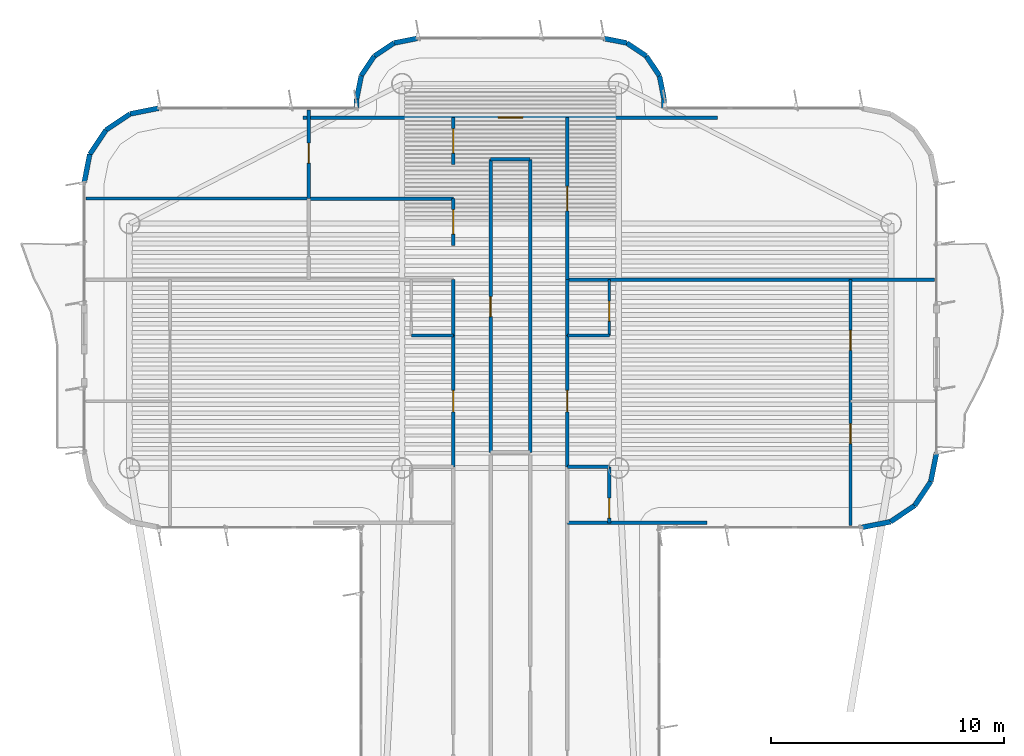
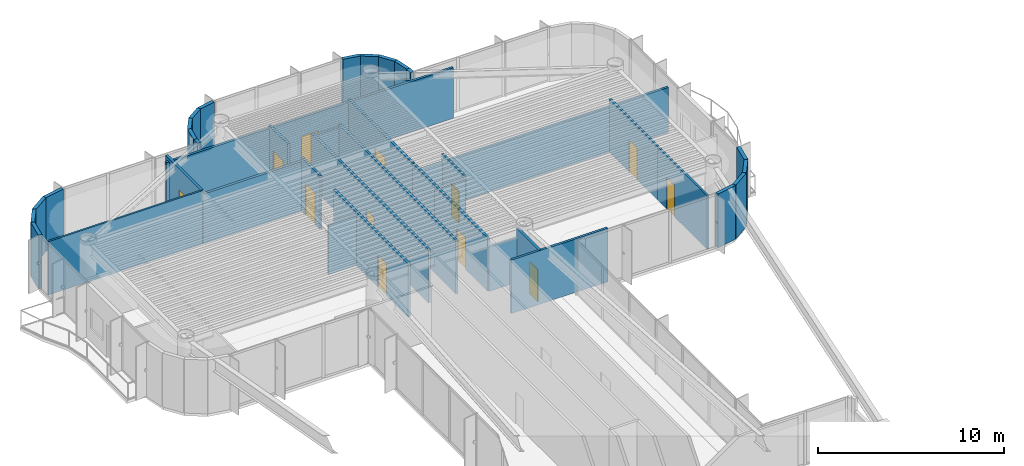
# One storey, part 12 of 15: 41 walls, 12 doors, 12 openings.
"""IFC4 building model written with IfcOpenShell, lengths in metres."""

from ifc_helpers import new_model, si_unit, direction, frame, frame_2d, origin, origin_2d, place, context, subcontext, project, spatial, rectangle, extrude, source, transform, mapped, material, layer, layer_set, type_object, element, fill, save


model = new_model("IFC4")

# Units and contexts
model_context = context("Model", 3, precision=1e-05, world=origin(), true_north=direction((0.0, 1.0)))
body_context = subcontext(model_context, "Body", "Model", "MODEL_VIEW")
ifc_project = project(units=[si_unit("LENGTHUNIT", "METRE"), si_unit("AREAUNIT", "SQUARE_METRE"), si_unit("VOLUMEUNIT", "CUBIC_METRE"), si_unit("PLANEANGLEUNIT", "RADIAN"), si_unit("MASSUNIT", "GRAM", prefix="KILO")], contexts=[model_context])

# Site, building, storey
site_placement = place(None, origin())
site = spatial("IfcSite", under=ifc_project, at=site_placement, CompositionType="ELEMENT")
building_placement = place(site_placement, origin())
building = spatial("IfcBuilding", under=site, at=building_placement, Name="Brelvock Crest Care Tower", CompositionType="ELEMENT")
storey_placement = place(building_placement, frame((0.0, 0.0, 275.93994140625)))
storey = spatial("IfcBuildingStorey", under=building, at=storey_placement, Name="L70", CompositionType="ELEMENT", Elevation=275.93994140625)

# Walls
ifc_material_1 = material(Name="Precast concrete N40 (40 MPa)", Category="concrete")
ifc_layer_1 = layer(ifc_material_1, 0.215087890625, Name="WL-EX2")
ifc_layer_set_1 = layer_set([ifc_layer_1], Name="Precast concrete N40 (40 MPa)")
wall_type_1 = type_object("IfcWallType", Name="WL-EX2", PredefinedType="SOLIDWALL", material=ifc_layer_set_1)
for number, where, z_axis, x_axis, name in (
    (1, (17.699951171875, 56.199951171875, 0.0), (0.0, 0.0, 1.0), (0.195138390419, 0.980775717779, 0.0), "L70 Rounded Corner Wall 18"),
    (2, (17.943603515625, 57.424560546875, 0.0), (0.0, 0.0, 1.0), (0.555557312883, 0.831478245117, 0.0), "L70 Rounded Corner Wall 19"),
    (3, (18.63720703125, 58.462646484375, 0.0), (0.0, 0.0, 1.0), (0.831387912822, 0.555692485475, 0.0), "L70 Rounded Corner Wall 20"),
    (4, (19.67529296875, 59.156494140625, 0.0), (0.0, 0.0, 1.0), (0.980813122964, 0.194950295773, 0.0), "L70 Rounded Corner Wall 21"),
):
    element("IfcWall", number, at=place(storey_placement, frame(where, z_axis=z_axis, x_axis=x_axis)), inside=storey, type_object=wall_type_1, Name=name, PredefinedType="SOLIDWALL", context=body_context, shape_type="SweptSolid", body=[
        extrude(rectangle(XDim=1.24853515625, YDim=0.215087890625, at=frame_2d((0.624267578125, 0.0))), origin(), (0.0, 0.0, 1.0), 3.530029296875),
    ])
wall_1_placement = place(storey_placement, frame((29.39990234375, 59.39990234375, 0.0), z_axis=(0.0, 0.0, 1.0), x_axis=(0.0, 1.0, 0.0)))
element("IfcWall", 5, at=wall_1_placement, inside=storey, type_object=wall_type_1, Name="L70 Rounded Corner Wall 23", PredefinedType="SOLIDWALL", context=body_context, shape_type="SweptSolid", body=[
    extrude(rectangle(XDim=0.400146484375, YDim=0.215087890625, at=frame_2d((0.2001953125, 0.0))), origin(), (0.0, 0.0, 1.0), 3.530029296875),
])
wall_2_placement = place(storey_placement, frame((29.39990234375, 59.800048828125, 0.0), z_axis=(0.0, 0.0, 1.0), x_axis=(0.195190360752, 0.980765376158, 0.0)))
element("IfcWall", 6, at=wall_2_placement, inside=storey, type_object=wall_type_1, Name="L70 Rounded Corner Wall 24", PredefinedType="SOLIDWALL", context=body_context, shape_type="SweptSolid", body=[
    extrude(rectangle(XDim=1.014404296875, YDim=0.215087890625, at=frame_2d((0.50732421875, 0.0))), origin(), (0.0, 0.0, 1.0), 3.530029296875),
])
wall_3_placement = place(storey_placement, frame((29.597900390625, 60.794921875, 0.0), z_axis=(0.0, 0.0, 1.0), x_axis=(0.555643898837, 0.831420385657, 0.0)))
element("IfcWall", 7, at=wall_3_placement, inside=storey, type_object=wall_type_1, Name="L70 Rounded Corner Wall 25", PredefinedType="SOLIDWALL", context=body_context, shape_type="SweptSolid", body=[
    extrude(rectangle(XDim=1.0146484375, YDim=0.215087890625, at=frame_2d((0.50732421875, 0.0))), origin(), (0.0, 0.0, 1.0), 3.530029296875),
])
wall_4_placement = place(storey_placement, frame((30.16162109375, 61.638427734375, 0.0), z_axis=(0.0, 0.0, 1.0), x_axis=(0.831346067305, 0.555755086685, 0.0)))
element("IfcWall", 8, at=wall_4_placement, inside=storey, type_object=wall_type_1, Name="L70 Rounded Corner Wall 26", PredefinedType="SOLIDWALL", context=body_context, shape_type="SweptSolid", body=[
    extrude(rectangle(XDim=1.014404296875, YDim=0.215087890625, at=frame_2d((0.50732421875, 0.0))), origin(), (0.0, 0.0, 1.0), 3.530029296875),
])
for number, where, z_axis, x_axis, name in (
    (9, (31.0048828125, 62.2021484375, 0.0), (0.0, 0.0, 1.0), (0.980820570666, 0.194912821943, 0.0), "L70 Rounded Corner Wall 27"),
    (10, (40.0, 62.39990234375, 0.0), (0.0, 0.0, 1.0), (0.980820570666, -0.194912821943, 0.0), "L70 Rounded Corner Wall 29"),
):
    element("IfcWall", number, at=place(storey_placement, frame(where, z_axis=z_axis, x_axis=x_axis)), inside=storey, type_object=wall_type_1, Name=name, PredefinedType="SOLIDWALL", context=body_context, shape_type="SweptSolid", body=[
        extrude(rectangle(XDim=1.0146484375, YDim=0.215087890625, at=frame_2d((0.50732421875, 0.0))), origin(), (0.0, 0.0, 1.0), 3.530029296875),
    ])
wall_5_placement = place(storey_placement, frame((40.9951171875, 62.2021484375, 0.0), z_axis=(0.0, 0.0, 1.0), x_axis=(0.831346067305, -0.555755086685, 0.0)))
element("IfcWall", 11, at=wall_5_placement, inside=storey, type_object=wall_type_1, Name="L70 Rounded Corner Wall 30", PredefinedType="SOLIDWALL", context=body_context, shape_type="SweptSolid", body=[
    extrude(rectangle(XDim=1.014404296875, YDim=0.215087890625, at=frame_2d((0.50732421875, 0.0))), origin(), (0.0, 0.0, 1.0), 3.530029296875),
])
wall_6_placement = place(storey_placement, frame((41.83837890625, 61.638427734375, 0.0), z_axis=(0.0, 0.0, 1.0), x_axis=(0.555643898837, -0.831420385657, 0.0)))
element("IfcWall", 12, at=wall_6_placement, inside=storey, type_object=wall_type_1, Name="L70 Rounded Corner Wall 31", PredefinedType="SOLIDWALL", context=body_context, shape_type="SweptSolid", body=[
    extrude(rectangle(XDim=1.0146484375, YDim=0.215087890625, at=frame_2d((0.50732421875, 0.0))), origin(), (0.0, 0.0, 1.0), 3.530029296875),
])
wall_7_placement = place(storey_placement, frame((42.402099609375, 60.794921875, 0.0), z_axis=(0.0, 0.0, 1.0), x_axis=(0.195190360752, -0.980765376158, 0.0)))
element("IfcWall", 13, at=wall_7_placement, inside=storey, type_object=wall_type_1, Name="L70 Rounded Corner Wall 32", PredefinedType="SOLIDWALL", context=body_context, shape_type="SweptSolid", body=[
    extrude(rectangle(XDim=1.014404296875, YDim=0.215087890625, at=frame_2d((0.50732421875, 0.0))), origin(), (0.0, 0.0, 1.0), 3.530029296875),
])
wall_8_placement = place(storey_placement, frame((42.60009765625, 59.800048828125, 0.0), z_axis=(0.0, 0.0, 1.0), x_axis=(0.0, -1.0, 0.0)))
element("IfcWall", 14, at=wall_8_placement, inside=storey, type_object=wall_type_1, Name="L70 Rounded Corner Wall 33", PredefinedType="SOLIDWALL", context=body_context, shape_type="SweptSolid", body=[
    extrude(rectangle(XDim=0.400146484375, YDim=0.215087890625, at=frame_2d((0.2001953125, 0.0))), origin(), (0.0, 0.0, 1.0), 3.530029296875),
])
for number, where, z_axis, x_axis, name in (
    (15, (54.300048828125, 44.60009765625, 0.0), (0.0, 0.0, 1.0), (-0.195138390419, -0.980775717779, 0.0), "L70 Rounded Corner Wall 40"),
    (16, (54.056396484375, 43.37548828125, 0.0), (0.0, 0.0, 1.0), (-0.555557312883, -0.831478245117, 0.0), "L70 Rounded Corner Wall 41"),
    (17, (53.36279296875, 42.33740234375, 0.0), (0.0, 0.0, 1.0), (-0.831387912822, -0.555692485475, 0.0), "L70 Rounded Corner Wall 42"),
    (18, (52.32470703125, 41.6435546875, 0.0), (0.0, 0.0, 1.0), (-0.980775717779, -0.195138390419, 0.0), "L70 Rounded Corner Wall 43"),
):
    element("IfcWall", number, at=place(storey_placement, frame(where, z_axis=z_axis, x_axis=x_axis)), inside=storey, type_object=wall_type_1, Name=name, PredefinedType="SOLIDWALL", context=body_context, shape_type="SweptSolid", body=[
        extrude(rectangle(XDim=1.24853515625, YDim=0.215087890625, at=frame_2d((0.624267578125, 0.0))), origin(), (0.0, 0.0, 1.0), 3.530029296875),
    ])
ifc_material_2 = material(Name="Masonry Blockwork Acoustic Partition", Category="masonry")
ifc_layer_2 = layer(ifc_material_2, 0.14990234375, Name="WL-INT1")
ifc_layer_set_2 = layer_set([ifc_layer_2], Name="Masonry Blockwork Acoustic Partition")
wall_type_2 = type_object("IfcWallType", Name="WL-INT1", PredefinedType="PARTITIONING", material=ifc_layer_set_2)
wall_9_placement = place(storey_placement, frame((38.449951171875, 41.60009765625, 0.0), z_axis=(0.0, 0.0, 1.0), x_axis=(1.0, 0.0, 0.0)))
element("IfcWall", 19, at=wall_9_placement, inside=storey, type_object=wall_type_2, Name="L70 Interior Wall WL-BX-L70-FL-EF1-S", PredefinedType="PARTITIONING", context=body_context, shape_type="SweptSolid", body=[
    extrude(rectangle(XDim=5.993408203125, YDim=0.14990234375, at=frame_2d((2.99658203125, 0.0))), origin(), (0.0, 0.0, 1.0), 3.5),
])
wall_10_placement = place(storey_placement, frame((38.449951171875, 52.0400390625, 0.0), z_axis=(0.0, 0.0, 1.0), x_axis=(1.0, 0.0, 0.0)))
element("IfcWall", 20, at=wall_10_placement, inside=storey, type_object=wall_type_2, Name="L70 Interior Wall WL-BX-L70-EFL2-S", PredefinedType="PARTITIONING", context=body_context, shape_type="SweptSolid", body=[
    extrude(rectangle(XDim=15.77001953125, YDim=0.14990234375, at=frame_2d((7.885009765625, 0.0))), origin(), (0.0, 0.0, 1.0), 2.982177734375),
])
wall_11_placement = place(storey_placement, frame((27.35009765625, 55.52001953125, 0.0), z_axis=(0.0, 0.0, 1.0), x_axis=(1.0, 0.0, 0.0)))
element("IfcWall", 21, at=wall_11_placement, inside=storey, type_object=wall_type_2, Name="L70 Interior Wall WL-BX-L70-CS-WFC2A-N", PredefinedType="PARTITIONING", context=body_context, shape_type="SweptSolid", body=[
    extrude(rectangle(XDim=6.199951171875, YDim=0.14990234375, at=frame_2d((3.10009765625, 0.0))), origin(), (0.0, 0.0, 1.0), 3.259033203125),
])
wall_12_placement = place(storey_placement, frame((35.14990234375, 57.199951171875, 0.0), z_axis=(0.0, 0.0, 1.0), x_axis=(1.0, 0.0, 0.0)))
element("IfcWall", 22, at=wall_12_placement, inside=storey, type_object=wall_type_2, Name="L70 Interior Wall WL-BX-L70-ISKT-N", PredefinedType="PARTITIONING", context=body_context, shape_type="SweptSolid", body=[
    extrude(rectangle(XDim=1.7001953125, YDim=0.14990234375, at=frame_2d((0.85009765625, 0.0))), origin(), (0.0, 0.0, 1.0), 3.30810546875),
])

# Wall, opening, door
wall_13_placement = place(storey_placement, frame((27.10009765625, 59.0, 0.0), z_axis=(0.0, 0.0, 1.0), x_axis=(1.0, 0.0, 0.0)))
wall_13 = element("IfcWall", 23, at=wall_13_placement, inside=storey, type_object=wall_type_2, Name="L70 Interior Wall WL-RM-L70-NHUB", PredefinedType="PARTITIONING", context=body_context, shape_type="SweptSolid", body=[
    extrude(rectangle(XDim=17.7998046875, YDim=0.14990234375, at=frame_2d((8.89990234375, 0.0))), origin(), (0.0, 0.0, 1.0), 3.30810546875),
])
opening_1_placement = place(wall_13_placement, frame((8.375, 0.0, 0.0)))
opening_1 = element("IfcOpeningElement", 24, at=opening_1_placement, cuts=wall_13, Name="Opening CLD-1", PredefinedType="OPENING", context=body_context, shape_type="SweptSolid", body=[
    extrude(rectangle(XDim=1.050048828125, YDim=2.10009765625, at=origin_2d()), frame((0.52490234375, 0.0849609375, 1.050048828125), z_axis=(0.0, -1.0, 0.0), x_axis=(1.0, 0.0, 0.0)), (0.0, 0.0, 1.0), 0.169921875),
])
ifc_material_3 = material(Name="Engineered Hardwood Timber", Category="wood")
door_type_1 = type_object("IfcDoorType", Name="DR-CLN1", OperationType="NOTDEFINED", PredefinedType="DOOR", material=ifc_material_3)
shared_shape_1 = source(origin(), body_context, "Body", "SweptSolid", [
    extrude(rectangle(XDim=1.050048828125, YDim=2.10009765625, at=origin_2d()), frame((0.52490234375, 0.02490234375, 1.050048828125), z_axis=(0.0, -1.0, 0.0), x_axis=(1.0, 0.0, 0.0)), (0.0, 0.0, 1.0), 0.050048828125),
])
door_1_placement = place(opening_1_placement, origin())
door_1 = element("IfcDoor", 25, at=door_1_placement, inside=storey, type_object=door_type_1, Name="L70 Harbour Lookout Dining Salon Door NHUB", OperationType="SINGLE_SWING_LEFT", OverallHeight=2.10009765625, OverallWidth=1.050048828125, PredefinedType="DOOR", context=body_context, shape_type="MappedRepresentation", body=[
    mapped(shared_shape_1, transform((0.0, 0.0, 0.0), x_axis=(1.0, 0.0, 0.0), y_axis=(0.0, 1.0, 0.0), z_axis=(0.0, 0.0, 1.0), scale=1.0)),
])
fill(opening_1, door_1)

wall_14_placement = place(storey_placement, frame((27.35009765625, 55.52001953125, 0.0), z_axis=(0.0, 0.0, 1.0), x_axis=(0.0, 1.0, 0.0)))
wall_14 = element("IfcWall", 26, at=wall_14_placement, inside=storey, type_object=wall_type_2, Name="L70 Interior Wall WL-RM-L70-WFC2BS", PredefinedType="PARTITIONING", context=body_context, shape_type="SweptSolid", body=[
    extrude(rectangle(XDim=3.802490234375, YDim=0.14990234375, at=frame_2d((1.9013671875, 0.0))), origin(), (0.0, 0.0, 1.0), 3.5),
])
opening_2_placement = place(wall_14_placement, frame((1.52001953125, 0.0, 0.0)))
opening_2 = element("IfcOpeningElement", 27, at=opening_2_placement, cuts=wall_14, Name="Opening ID-1", PredefinedType="OPENING", context=body_context, shape_type="SweptSolid", body=[
    extrude(rectangle(XDim=0.860107421875, YDim=2.10009765625, at=origin_2d()), frame((0.43017578125, 0.0849609375, 1.050048828125), z_axis=(0.0, -1.0, 0.0), x_axis=(1.0, 0.0, 0.0)), (0.0, 0.0, 1.0), 0.169921875),
])
door_type_2 = type_object("IfcDoorType", Name="DR-INT1", OperationType="NOTDEFINED", PredefinedType="DOOR", material=ifc_material_3)
shared_shape_2 = source(origin(), body_context, "Body", "SweptSolid", [
    extrude(rectangle(XDim=0.860107421875, YDim=2.10009765625, at=origin_2d()), frame((0.43017578125, 0.02490234375, 1.050048828125), z_axis=(0.0, -1.0, 0.0), x_axis=(1.0, 0.0, 0.0)), (0.0, 0.0, 1.0), 0.050048828125),
])
door_2_placement = place(opening_2_placement, origin())
door_2 = element("IfcDoor", 28, at=door_2_placement, inside=storey, type_object=door_type_2, Name="L70 Assisted Care Mobility Store Door WFC2BS", OperationType="SINGLE_SWING_LEFT", OverallHeight=2.10009765625, OverallWidth=0.860107421875, PredefinedType="DOOR", context=body_context, shape_type="MappedRepresentation", body=[
    mapped(shared_shape_2, transform((0.0, 0.0, 0.0), x_axis=(1.0, 0.0, 0.0), y_axis=(0.0, 1.0, 0.0), z_axis=(0.0, 0.0, 1.0), scale=1.0)),
])
fill(opening_2, door_2)

wall_15_placement = place(storey_placement, frame((33.550048828125, 44.0, 0.0), z_axis=(0.0, 0.0, 1.0), x_axis=(0.0, 1.0, 0.0)))
wall_15 = element("IfcWall", 29, at=wall_15_placement, inside=storey, type_object=wall_type_2, Name="L70 Interior Wall WL-UENT-L70-WF1", PredefinedType="PARTITIONING", context=body_context, shape_type="SweptSolid", body=[
    extrude(rectangle(XDim=5.639892578125, YDim=0.14990234375, at=frame_2d((2.81982421875, 0.0))), origin(), (0.0, 0.0, 1.0), 3.5),
])
opening_3_placement = place(wall_15_placement, frame((2.360107421875, 0.0, 0.0)))
opening_3 = element("IfcOpeningElement", 30, at=opening_3_placement, cuts=wall_15, Name="Opening AD-1", PredefinedType="OPENING", context=body_context, shape_type="SweptSolid", body=[
    extrude(rectangle(XDim=0.919921875, YDim=2.10009765625, at=origin_2d()), frame((0.4599609375, 0.0849609375, 1.050048828125), z_axis=(0.0, -1.0, 0.0), x_axis=(1.0, 0.0, 0.0)), (0.0, 0.0, 1.0), 0.169921875),
])
door_type_3 = type_object("IfcDoorType", Name="DR-APT1", OperationType="NOTDEFINED", PredefinedType="DOOR", material=ifc_material_3)
shared_shape_3 = source(origin(), body_context, "Body", "SweptSolid", [
    extrude(rectangle(XDim=0.919921875, YDim=2.10009765625, at=origin_2d()), frame((0.4599609375, 0.02490234375, 1.050048828125), z_axis=(0.0, -1.0, 0.0), x_axis=(1.0, 0.0, 0.0)), (0.0, 0.0, 1.0), 0.050048828125),
])
door_3_placement = place(opening_3_placement, origin())
door_3 = element("IfcDoor", 31, at=door_3_placement, inside=storey, type_object=door_type_3, Name="L70 Apartment Entrance WF1", OperationType="SINGLE_SWING_LEFT", OverallHeight=2.10009765625, OverallWidth=0.919921875, PredefinedType="DOOR", context=body_context, shape_type="MappedRepresentation", body=[
    mapped(shared_shape_3, transform((0.0, 0.0, 0.0), x_axis=(1.0, 0.0, 0.0), y_axis=(0.0, 1.0, 0.0), z_axis=(0.0, 0.0, 1.0), scale=1.0)),
])
fill(opening_3, door_3)

# Wall
wall_16_placement = place(storey_placement, frame((33.550048828125, 49.639892578125, 0.0), z_axis=(0.0, 0.0, 1.0), x_axis=(0.0, 1.0, 0.0)))
element("IfcWall", 32, at=wall_16_placement, inside=storey, type_object=wall_type_2, Name="L70 Interior Wall WL-UCK-L70-WF1", PredefinedType="PARTITIONING", context=body_context, shape_type="SweptSolid", body=[
    extrude(rectangle(XDim=2.400146484375, YDim=0.14990234375, at=frame_2d((1.2001953125, 0.0))), origin(), (0.0, 0.0, 1.0), 3.5),
])

# Wall, opening, door
wall_17_placement = place(storey_placement, frame((33.550048828125, 53.501953125, 0.0), z_axis=(0.0, 0.0, 1.0), x_axis=(0.0, 1.0, 0.0)))
wall_17 = element("IfcWall", 33, at=wall_17_placement, inside=storey, type_object=wall_type_2, Name="L70 Interior Wall WL-CENT-L70-WFC2A", PredefinedType="PARTITIONING", context=body_context, shape_type="SweptSolid", body=[
    extrude(rectangle(XDim=2.01806640625, YDim=0.14990234375, at=frame_2d((1.009033203125, 0.0))), origin(), (0.0, 0.0, 1.0), 3.5),
])
opening_4_placement = place(wall_17_placement, frame((0.489013671875, 0.0, 0.0)))
opening_4 = element("IfcOpeningElement", 34, at=opening_4_placement, cuts=wall_17, Name="Opening CD-1", PredefinedType="OPENING", context=body_context, shape_type="SweptSolid", body=[
    extrude(rectangle(XDim=1.050048828125, YDim=2.10009765625, at=origin_2d()), frame((0.52490234375, 0.0849609375, 1.050048828125), z_axis=(0.0, -1.0, 0.0), x_axis=(1.0, 0.0, 0.0)), (0.0, 0.0, 1.0), 0.169921875),
])
door_type_4 = type_object("IfcDoorType", Name="DR-CARE1", OperationType="NOTDEFINED", PredefinedType="DOOR", material=ifc_material_3)
shared_shape_4 = source(origin(), body_context, "Body", "SweptSolid", [
    extrude(rectangle(XDim=1.050048828125, YDim=2.10009765625, at=origin_2d()), frame((0.52490234375, 0.02490234375, 1.050048828125), z_axis=(0.0, -1.0, 0.0), x_axis=(1.0, 0.0, 0.0)), (0.0, 0.0, 1.0), 0.050048828125),
])
door_4_placement = place(opening_4_placement, origin())
door_4 = element("IfcDoor", 35, at=door_4_placement, inside=storey, type_object=door_type_4, Name="L70 Care Suite Door WFC2A", OperationType="SINGLE_SWING_LEFT", OverallHeight=2.10009765625, OverallWidth=1.050048828125, PredefinedType="DOOR", context=body_context, shape_type="MappedRepresentation", body=[
    mapped(shared_shape_4, transform((0.0, 0.0, 0.0), x_axis=(1.0, 0.0, 0.0), y_axis=(0.0, 1.0, 0.0), z_axis=(0.0, 0.0, 1.0), scale=1.0)),
])
fill(opening_4, door_4)

wall_18_placement = place(storey_placement, frame((33.550048828125, 56.98193359375, 0.0), z_axis=(0.0, 0.0, 1.0), x_axis=(0.0, 1.0, 0.0)))
wall_18 = element("IfcWall", 36, at=wall_18_placement, inside=storey, type_object=wall_type_2, Name="L70 Interior Wall WL-CENT-L70-WFC2B", PredefinedType="PARTITIONING", context=body_context, shape_type="SweptSolid", body=[
    extrude(rectangle(XDim=2.01806640625, YDim=0.14990234375, at=frame_2d((1.009033203125, 0.0))), origin(), (0.0, 0.0, 1.0), 3.5),
])
opening_5_placement = place(wall_18_placement, frame((0.489013671875, 0.0, 0.0)))
opening_5 = element("IfcOpeningElement", 37, at=opening_5_placement, cuts=wall_18, Name="Opening CD-1", PredefinedType="OPENING", context=body_context, shape_type="SweptSolid", body=[
    extrude(rectangle(XDim=1.050048828125, YDim=2.10009765625, at=origin_2d()), frame((0.52490234375, 0.0849609375, 1.050048828125), z_axis=(0.0, -1.0, 0.0), x_axis=(1.0, 0.0, 0.0)), (0.0, 0.0, 1.0), 0.169921875),
])
door_5_placement = place(opening_5_placement, origin())
door_5 = element("IfcDoor", 38, at=door_5_placement, inside=storey, type_object=door_type_4, Name="L70 Care Suite Door WFC2B", OperationType="SINGLE_SWING_LEFT", OverallHeight=2.10009765625, OverallWidth=1.050048828125, PredefinedType="DOOR", context=body_context, shape_type="MappedRepresentation", body=[
    mapped(shared_shape_4, transform((0.0, 0.0, 0.0), x_axis=(1.0, 0.0, 0.0), y_axis=(0.0, 1.0, 0.0), z_axis=(0.0, 0.0, 1.0), scale=1.0)),
])
fill(opening_5, door_5)

wall_19_placement = place(storey_placement, frame((35.14990234375, 44.6201171875, 0.0), z_axis=(0.0, 0.0, 1.0), x_axis=(0.0, 1.0, 0.0)))
wall_19 = element("IfcWall", 39, at=wall_19_placement, inside=storey, type_object=wall_type_2, Name="L70 Interior Wall WL-RM-L70-ISKT", PredefinedType="PARTITIONING", context=body_context, shape_type="SweptSolid", body=[
    extrude(rectangle(XDim=12.579833984375, YDim=0.14990234375, at=frame_2d((6.2900390625, 0.0))), origin(), (0.0, 0.0, 1.0), 3.5),
])
opening_6_placement = place(wall_19_placement, frame((5.830078125, 0.0, 0.0)))
opening_6 = element("IfcOpeningElement", 40, at=opening_6_placement, cuts=wall_19, Name="Opening ID-1", PredefinedType="OPENING", context=body_context, shape_type="SweptSolid", body=[
    extrude(rectangle(XDim=0.860107421875, YDim=2.10009765625, at=origin_2d()), frame((0.43017578125, 0.0849609375, 1.050048828125), z_axis=(0.0, -1.0, 0.0), x_axis=(1.0, 0.0, 0.0)), (0.0, 0.0, 1.0), 0.169921875),
])
door_6_placement = place(opening_6_placement, origin())
door_6 = element("IfcDoor", 41, at=door_6_placement, inside=storey, type_object=door_type_2, Name="L70 Communal Tea and Nutrition Pantry Door ISKT", OperationType="SINGLE_SWING_LEFT", OverallHeight=2.10009765625, OverallWidth=0.860107421875, PredefinedType="DOOR", context=body_context, shape_type="MappedRepresentation", body=[
    mapped(shared_shape_2, transform((0.0, 0.0, 0.0), x_axis=(1.0, 0.0, 0.0), y_axis=(0.0, 1.0, 0.0), z_axis=(0.0, 0.0, 1.0), scale=1.0)),
])
fill(opening_6, door_6)

# Wall
wall_20_placement = place(storey_placement, frame((36.85009765625, 44.6201171875, 0.0), z_axis=(0.0, 0.0, 1.0), x_axis=(0.0, 1.0, 0.0)))
element("IfcWall", 42, at=wall_20_placement, inside=storey, type_object=wall_type_2, Name="L70 Interior Wall WL-BX-L70-ISKT-E", PredefinedType="PARTITIONING", context=body_context, shape_type="SweptSolid", body=[
    extrude(rectangle(XDim=12.579833984375, YDim=0.14990234375, at=frame_2d((6.2900390625, 0.0))), origin(), (0.0, 0.0, 1.0), 3.5),
])

# Wall, opening, door
wall_21_placement = place(storey_placement, frame((38.449951171875, 44.0, 0.0), z_axis=(0.0, 0.0, 1.0), x_axis=(0.0, 1.0, 0.0)))
wall_21 = element("IfcWall", 43, at=wall_21_placement, inside=storey, type_object=wall_type_2, Name="L70 Interior Wall WL-UENT-L70-EF1", PredefinedType="PARTITIONING", context=body_context, shape_type="SweptSolid", body=[
    extrude(rectangle(XDim=5.639892578125, YDim=0.14990234375, at=frame_2d((2.81982421875, 0.0))), origin(), (0.0, 0.0, 1.0), 3.5),
])
opening_7_placement = place(wall_21_placement, frame((2.360107421875, 0.0, 0.0)))
opening_7 = element("IfcOpeningElement", 44, at=opening_7_placement, cuts=wall_21, Name="Opening AD-1", PredefinedType="OPENING", context=body_context, shape_type="SweptSolid", body=[
    extrude(rectangle(XDim=0.919921875, YDim=2.10009765625, at=origin_2d()), frame((0.4599609375, 0.0849609375, 1.050048828125), z_axis=(0.0, -1.0, 0.0), x_axis=(1.0, 0.0, 0.0)), (0.0, 0.0, 1.0), 0.169921875),
])
door_7_placement = place(opening_7_placement, origin())
door_7 = element("IfcDoor", 45, at=door_7_placement, inside=storey, type_object=door_type_3, Name="L70 Apartment Entrance EF1", OperationType="SINGLE_SWING_LEFT", OverallHeight=2.10009765625, OverallWidth=0.919921875, PredefinedType="DOOR", context=body_context, shape_type="MappedRepresentation", body=[
    mapped(shared_shape_3, transform((0.0, 0.0, 0.0), x_axis=(1.0, 0.0, 0.0), y_axis=(0.0, 1.0, 0.0), z_axis=(0.0, 0.0, 1.0), scale=1.0)),
])
fill(opening_7, door_7)

# Wall
wall_22_placement = place(storey_placement, frame((38.449951171875, 49.639892578125, 0.0), z_axis=(0.0, 0.0, 1.0), x_axis=(0.0, 1.0, 0.0)))
element("IfcWall", 46, at=wall_22_placement, inside=storey, type_object=wall_type_2, Name="L70 Interior Wall WL-UCK-L70-EF1", PredefinedType="PARTITIONING", context=body_context, shape_type="SweptSolid", body=[
    extrude(rectangle(XDim=2.400146484375, YDim=0.14990234375, at=frame_2d((1.2001953125, 0.0))), origin(), (0.0, 0.0, 1.0), 3.5),
])

# Wall, opening, door
wall_23_placement = place(storey_placement, frame((38.449951171875, 52.0400390625, 0.0), z_axis=(0.0, 0.0, 1.0), x_axis=(0.0, 1.0, 0.0)))
wall_23 = element("IfcWall", 47, at=wall_23_placement, inside=storey, type_object=wall_type_2, Name="L70 Interior Wall WL-RM-L70-EFL2", PredefinedType="PARTITIONING", context=body_context, shape_type="SweptSolid", body=[
    extrude(rectangle(XDim=6.9599609375, YDim=0.14990234375, at=frame_2d((3.47998046875, 0.0))), origin(), (0.0, 0.0, 1.0), 3.5),
])
opening_8_placement = place(wall_23_placement, frame((2.955078125, 0.0, 0.0)))
opening_8 = element("IfcOpeningElement", 48, at=opening_8_placement, cuts=wall_23, Name="Opening CLD-1", PredefinedType="OPENING", context=body_context, shape_type="SweptSolid", body=[
    extrude(rectangle(XDim=1.050048828125, YDim=2.10009765625, at=origin_2d()), frame((0.52490234375, 0.0849609375, 1.050048828125), z_axis=(0.0, -1.0, 0.0), x_axis=(1.0, 0.0, 0.0)), (0.0, 0.0, 1.0), 0.169921875),
])
door_8_placement = place(opening_8_placement, origin())
door_8 = element("IfcDoor", 49, at=door_8_placement, inside=storey, type_object=door_type_1, Name="L70 Sky Neighbourhood Drawing Room Door EFL2", OperationType="SINGLE_SWING_LEFT", OverallHeight=2.10009765625, OverallWidth=1.050048828125, PredefinedType="DOOR", context=body_context, shape_type="MappedRepresentation", body=[
    mapped(shared_shape_1, transform((0.0, 0.0, 0.0), x_axis=(1.0, 0.0, 0.0), y_axis=(0.0, 1.0, 0.0), z_axis=(0.0, 0.0, 1.0), scale=1.0)),
])
fill(opening_8, door_8)

# Walls
ifc_material_4 = material(Name="Gypsum Plasterboard Partition", Category="gypsum")
ifc_layer_3 = layer(ifc_material_4, 0.1201171875, Name="WL-INT2")
ifc_layer_set_3 = layer_set([ifc_layer_3], Name="Gypsum Plasterboard Partition")
wall_type_3 = type_object("IfcWallType", Name="WL-INT2", PredefinedType="PARTITIONING", material=ifc_layer_set_3)
for number, where, z_axis, x_axis, name in (
    (50, (31.75, 49.639892578125, 0.0), (0.0, 0.0, 1.0), (1.0, 0.0, 0.0), "L70 Interior Wall WL-UKIT2-L70-WF1"),
    (51, (38.449951171875, 49.639892578125, 0.0), (0.0, 0.0, 1.0), (1.0, 0.0, 0.0), "L70 Interior Wall WL-UKIT2-L70-EF1"),
):
    element("IfcWall", number, at=place(storey_placement, frame(where, z_axis=z_axis, x_axis=x_axis)), inside=storey, type_object=wall_type_3, Name=name, PredefinedType="PARTITIONING", context=body_context, shape_type="SweptSolid", body=[
        extrude(rectangle(XDim=1.800048828125, YDim=0.1201171875, at=frame_2d((0.89990234375, 0.0))), origin(), (0.0, 0.0, 1.0), 3.259033203125),
    ])
wall_24_placement = place(storey_placement, frame((17.780029296875, 55.52001953125, 0.0), z_axis=(0.0, 0.0, 1.0), x_axis=(1.0, 0.0, 0.0)))
element("IfcWall", 52, at=wall_24_placement, inside=storey, type_object=wall_type_3, Name="L70 Interior Wall WL-BX-L70-WFC2AS-N", PredefinedType="PARTITIONING", context=body_context, shape_type="SweptSolid", body=[
    extrude(rectangle(XDim=9.570068359375, YDim=0.1201171875, at=frame_2d((4.78515625, 0.0))), origin(), (0.0, 0.0, 1.0), 3.5),
])

# Wall, opening, door
wall_25_placement = place(storey_placement, frame((40.25, 49.639892578125, 0.0), z_axis=(0.0, 0.0, 1.0), x_axis=(0.0, 1.0, 0.0)))
wall_25 = element("IfcWall", 53, at=wall_25_placement, inside=storey, type_object=wall_type_3, Name="L70 Interior Wall WL-UKIT1-L70-EF1", PredefinedType="PARTITIONING", context=body_context, shape_type="SweptSolid", body=[
    extrude(rectangle(XDim=2.400146484375, YDim=0.1201171875, at=frame_2d((1.2001953125, 0.0))), origin(), (0.0, 0.0, 1.0), 3.5),
])
opening_9_placement = place(wall_25_placement, frame((0.6201171875, 0.0, 0.0)))
opening_9 = element("IfcOpeningElement", 54, at=opening_9_placement, cuts=wall_25, Name="Opening ID-1", PredefinedType="OPENING", context=body_context, shape_type="SweptSolid", body=[
    extrude(rectangle(XDim=0.860107421875, YDim=2.10009765625, at=origin_2d()), frame((0.43017578125, 0.070068359375, 1.050048828125), z_axis=(0.0, -1.0, 0.0), x_axis=(1.0, 0.0, 0.0)), (0.0, 0.0, 1.0), 0.14013671875),
])
door_9_placement = place(opening_9_placement, origin())
door_9 = element("IfcDoor", 55, at=door_9_placement, inside=storey, type_object=door_type_2, Name="L70 Kitchen Door EF1", OperationType="SINGLE_SWING_RIGHT", OverallHeight=2.10009765625, OverallWidth=0.860107421875, PredefinedType="DOOR", context=body_context, shape_type="MappedRepresentation", body=[
    mapped(shared_shape_2, transform((0.0, 0.0, 0.0), x_axis=(1.0, 0.0, 0.0), y_axis=(0.0, 1.0, 0.0), z_axis=(0.0, 0.0, 1.0), scale=1.0)),
])
fill(opening_9, door_9)

wall_26_placement = place(storey_placement, frame((50.610107421875, 41.47998046875, 0.0), z_axis=(0.0, 0.0, 1.0), x_axis=(0.0, 1.0, 0.0)))
wall_26 = element("IfcWall", 56, at=wall_26_placement, inside=storey, type_object=wall_type_3, Name="L70 Interior Wall WL-UBD1-L70-EF1", PredefinedType="PARTITIONING", context=body_context, shape_type="SweptSolid", body=[
    extrude(rectangle(XDim=5.340087890625, YDim=0.1201171875, at=frame_2d((2.669921875, 0.0))), origin(), (0.0, 0.0, 1.0), 3.5),
])
opening_10_placement = place(wall_26_placement, frame((3.52001953125, 0.0, 0.0)))
opening_10 = element("IfcOpeningElement", 57, at=opening_10_placement, cuts=wall_26, Name="Opening ID-1", PredefinedType="OPENING", context=body_context, shape_type="SweptSolid", body=[
    extrude(rectangle(XDim=0.860107421875, YDim=2.10009765625, at=origin_2d()), frame((0.43017578125, 0.070068359375, 1.050048828125), z_axis=(0.0, -1.0, 0.0), x_axis=(1.0, 0.0, 0.0)), (0.0, 0.0, 1.0), 0.14013671875),
])
door_10_placement = place(opening_10_placement, origin())
door_10 = element("IfcDoor", 58, at=door_10_placement, inside=storey, type_object=door_type_2, Name="L70 Primary Bedroom Door EF1", OperationType="SINGLE_SWING_RIGHT", OverallHeight=2.10009765625, OverallWidth=0.860107421875, PredefinedType="DOOR", context=body_context, shape_type="MappedRepresentation", body=[
    mapped(shared_shape_2, transform((0.0, 0.0, 0.0), x_axis=(1.0, 0.0, 0.0), y_axis=(0.0, 1.0, 0.0), z_axis=(0.0, 0.0, 1.0), scale=1.0)),
])
fill(opening_10, door_10)

wall_27_placement = place(storey_placement, frame((50.610107421875, 46.820068359375, 0.0), z_axis=(0.0, 0.0, 1.0), x_axis=(0.0, 1.0, 0.0)))
wall_27 = element("IfcWall", 59, at=wall_27_placement, inside=storey, type_object=wall_type_3, Name="L70 Interior Wall WL-UBD2-L70-EF1", PredefinedType="PARTITIONING", context=body_context, shape_type="SweptSolid", body=[
    extrude(rectangle(XDim=5.219970703125, YDim=0.1201171875, at=frame_2d((2.60986328125, 0.0))), origin(), (0.0, 0.0, 1.0), 3.5),
])
opening_11_placement = place(wall_27_placement, frame((2.179931640625, 0.0, 0.0)))
opening_11 = element("IfcOpeningElement", 60, at=opening_11_placement, cuts=wall_27, Name="Opening ID-1", PredefinedType="OPENING", context=body_context, shape_type="SweptSolid", body=[
    extrude(rectangle(XDim=0.860107421875, YDim=2.10009765625, at=origin_2d()), frame((0.43017578125, 0.070068359375, 1.050048828125), z_axis=(0.0, -1.0, 0.0), x_axis=(1.0, 0.0, 0.0)), (0.0, 0.0, 1.0), 0.14013671875),
])
door_11_placement = place(opening_11_placement, origin())
door_11 = element("IfcDoor", 61, at=door_11_placement, inside=storey, type_object=door_type_2, Name="L70 Second Room Door EF1", OperationType="SINGLE_SWING_LEFT", OverallHeight=2.10009765625, OverallWidth=0.860107421875, PredefinedType="DOOR", context=body_context, shape_type="MappedRepresentation", body=[
    mapped(shared_shape_2, transform((0.0, 0.0, 0.0), x_axis=(1.0, 0.0, 0.0), y_axis=(0.0, 1.0, 0.0), z_axis=(0.0, 0.0, 1.0), scale=1.0)),
])
fill(opening_11, door_11)

# Wall
ifc_layer_4 = layer(ifc_material_4, 0.159912109375, Name="WL-PLM1")
ifc_layer_set_4 = layer_set([ifc_layer_4], Name="Gypsum Plasterboard Partition")
wall_type_4 = type_object("IfcWallType", Name="WL-PLM1", PredefinedType="PLUMBINGWALL", material=ifc_layer_set_4)
wall_28_placement = place(storey_placement, frame((38.449951171875, 44.0, 0.0), z_axis=(0.0, 0.0, 1.0), x_axis=(1.0, 0.0, 0.0)))
element("IfcWall", 62, at=wall_28_placement, inside=storey, type_object=wall_type_4, Name="L70 Interior Wall WL-UBTH2-L70-EF1", PredefinedType="PLUMBINGWALL", context=body_context, shape_type="SweptSolid", body=[
    extrude(rectangle(XDim=1.800048828125, YDim=0.159912109375, at=frame_2d((0.89990234375, 0.0))), origin(), (0.0, 0.0, 1.0), 2.903076171875),
])

# Wall, opening, door
wall_29_placement = place(storey_placement, frame((40.25, 41.60009765625, 0.0), z_axis=(0.0, 0.0, 1.0), x_axis=(0.0, 1.0, 0.0)))
wall_29 = element("IfcWall", 63, at=wall_29_placement, inside=storey, type_object=wall_type_4, Name="L70 Interior Wall WL-UBTH1-L70-EF1", PredefinedType="PLUMBINGWALL", context=body_context, shape_type="SweptSolid", body=[
    extrude(rectangle(XDim=2.39990234375, YDim=0.159912109375, at=frame_2d((1.199951171875, 0.0))), origin(), (0.0, 0.0, 1.0), 3.5),
])
opening_12_placement = place(wall_29_placement, frame((0.199951171875, 0.0, 0.0)))
opening_12 = element("IfcOpeningElement", 64, at=opening_12_placement, cuts=wall_29, Name="Opening WD-1", PredefinedType="OPENING", context=body_context, shape_type="SweptSolid", body=[
    extrude(rectangle(XDim=0.860107421875, YDim=2.10009765625, at=origin_2d()), frame((0.43017578125, 0.08984375, 1.050048828125), z_axis=(0.0, -1.0, 0.0), x_axis=(1.0, 0.0, 0.0)), (0.0, 0.0, 1.0), 0.179931640625),
])
door_type_5 = type_object("IfcDoorType", Name="DR-WC1", OperationType="NOTDEFINED", PredefinedType="DOOR", material=ifc_material_3)
shared_shape_5 = source(origin(), body_context, "Body", "SweptSolid", [
    extrude(rectangle(XDim=0.860107421875, YDim=2.10009765625, at=origin_2d()), frame((0.43017578125, 0.02490234375, 1.050048828125), z_axis=(0.0, -1.0, 0.0), x_axis=(1.0, 0.0, 0.0)), (0.0, 0.0, 1.0), 0.050048828125),
])
door_12_placement = place(opening_12_placement, origin())
door_12 = element("IfcDoor", 65, at=door_12_placement, inside=storey, type_object=door_type_5, Name="L70 Bathroom Door EF1", OperationType="SINGLE_SWING_LEFT", OverallHeight=2.10009765625, OverallWidth=0.860107421875, PredefinedType="DOOR", context=body_context, shape_type="MappedRepresentation", body=[
    mapped(shared_shape_5, transform((0.0, 0.0, 0.0), x_axis=(1.0, 0.0, 0.0), y_axis=(0.0, 1.0, 0.0), z_axis=(0.0, 0.0, 1.0), scale=1.0)),
])
fill(opening_12, door_12)

save(model, "model.ifc")
